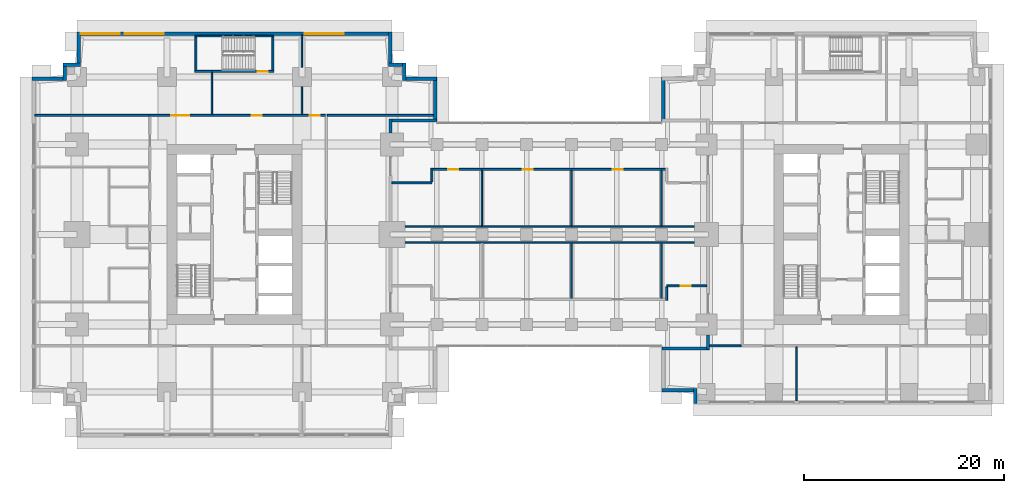
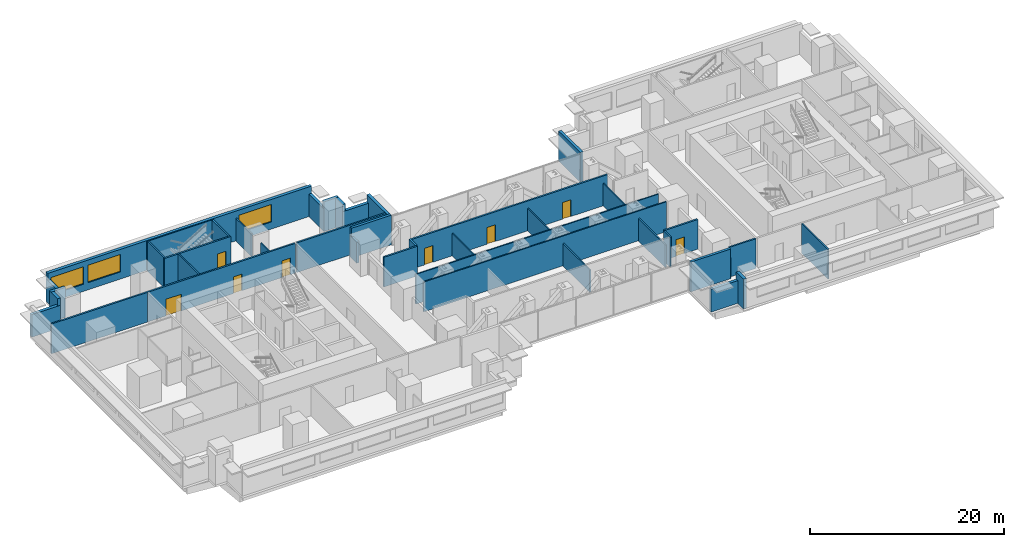
# One storey, part 9 of 16: 41 walls, 8 doors, 3 windows, 11 openings.
"""IFC4 building model written with IfcOpenShell, lengths in metres."""

from ifc_helpers import new_model, si_unit, direction, frame, frame_2d, origin, place, context, subcontext, project, spatial, rectangle, extrude, material, layer, layer_set, type_object, element, fill, save


model = new_model("IFC4")

# Units and contexts
model_context = context("Model", 3, precision=1e-05, world=origin(), true_north=direction((0.0, 1.0)))
body_context = subcontext(model_context, "Body", "Model", "MODEL_VIEW")
ifc_project = project(units=[si_unit("LENGTHUNIT", "METRE"), si_unit("AREAUNIT", "SQUARE_METRE"), si_unit("VOLUMEUNIT", "CUBIC_METRE"), si_unit("PLANEANGLEUNIT", "RADIAN"), si_unit("MASSUNIT", "GRAM", prefix="KILO")], contexts=[model_context])

# Site, building, storey
site_placement = place(None, origin())
site = spatial("IfcSite", under=ifc_project, at=site_placement, CompositionType="ELEMENT")
building_placement = place(site_placement, origin())
building = spatial("IfcBuilding", under=site, at=building_placement, Name="Namib Vertical Campus", CompositionType="ELEMENT")
storey_placement = place(building_placement, frame((0.0, 0.0, 121.0)))
storey = spatial("IfcBuildingStorey", under=building, at=storey_placement, Name="L28", CompositionType="ELEMENT", Elevation=121.0)

# Wall, openings, doors
ifc_material_1 = material(Name="Concrete masonry", Category="masonry")
ifc_layer_1 = layer(ifc_material_1, 0.199951171875)
ifc_layer_set_1 = layer_set([ifc_layer_1], Name="Corridor wall 200")
wall_type_1 = type_object("IfcWallType", Name="Corridor wall 200", PredefinedType="SOLIDWALL", material=ifc_layer_set_1)
wall_1_placement = place(storey_placement, frame((29.35009765625, 32.14990234375, 0.0), z_axis=(0.0, 0.0, 1.0), x_axis=(-1.0, 0.0, 0.0)))
wall_1 = element("IfcWall", 1, at=wall_1_placement, inside=storey, type_object=wall_type_1, Name="Corridor wall A L28 CN", PredefinedType="SOLIDWALL", context=body_context, shape_type="SweptSolid", body=[
    extrude(rectangle(XDim=17.650146484375, YDim=0.199951171875, at=frame_2d((8.8251953125, 0.0))), origin(), (0.0, 0.0, 1.0), 3.75),
])
opening_1_placement = place(wall_1_placement, frame((13.60009765625, 0.0, 0.0)))
opening_1 = element("IfcOpeningElement", 2, at=opening_1_placement, cuts=wall_1, Name="Opening CD2", PredefinedType="OPENING", context=body_context, shape_type="SweptSolid", body=[
    extrude(rectangle(XDim=1.800048828125, YDim=2.10009765625, at=frame_2d((0.89990234375, 1.050048828125))), frame((0.0, 0.10986328125, 0.0), z_axis=(0.0, -1.0, 0.0), x_axis=(1.0, 0.0, 0.0)), (0.0, 0.0, 1.0), 0.219970703125),
])
opening_2_placement = place(wall_1_placement, frame((6.35009765625, 0.0, 0.0)))
opening_2 = element("IfcOpeningElement", 3, at=opening_2_placement, cuts=wall_1, Name="Opening CD1", PredefinedType="OPENING", context=body_context, shape_type="SweptSolid", body=[
    extrude(rectangle(XDim=1.0, YDim=2.10009765625, at=frame_2d((0.5, 1.050048828125))), frame((0.0, 0.10986328125, 0.0), z_axis=(0.0, -1.0, 0.0), x_axis=(1.0, 0.0, 0.0)), (0.0, 0.0, 1.0), 0.219970703125),
])
opening_3_placement = place(wall_1_placement, frame((0.574951171875, 0.0, 0.0)))
opening_3 = element("IfcOpeningElement", 4, at=opening_3_placement, cuts=wall_1, Name="Opening CD1", PredefinedType="OPENING", context=body_context, shape_type="SweptSolid", body=[
    extrude(rectangle(XDim=1.0, YDim=2.10009765625, at=frame_2d((0.5, 1.050048828125))), frame((0.0, 0.10986328125, 0.0), z_axis=(0.0, -1.0, 0.0), x_axis=(1.0, 0.0, 0.0)), (0.0, 0.0, 1.0), 0.219970703125),
])
ifc_material_2 = material(Name="Timber fire door leaf", Category="wood")
door_type_1 = type_object("IfcDoorType", Name="Corridor door 1000x2100 20 min", OperationType="SINGLE_SWING_LEFT", PredefinedType="DOOR", material=ifc_material_2)
door_1_placement = place(opening_2_placement, frame((1.0, 0.0, 0.0), z_axis=(0.0, 0.0, 1.0), x_axis=(-1.0, 0.0, 0.0)))
door_1 = element("IfcDoor", 5, at=door_1_placement, inside=storey, type_object=door_type_1, Name="Door CD1 A28-06", OperationType="SINGLE_SWING_RIGHT", OverallHeight=2.10009765625, OverallWidth=1.0, PredefinedType="DOOR", context=body_context, shape_type="SweptSolid", body=[
    extrude(rectangle(XDim=1.0, YDim=2.10009765625, at=frame_2d((0.5, 1.050048828125))), frame((0.0, 0.02490234375, 0.0), z_axis=(0.0, -1.0, 0.0), x_axis=(1.0, 0.0, 0.0)), (0.0, 0.0, 1.0), 0.050048828125),
])
fill(opening_2, door_1)
door_2_placement = place(opening_3_placement, frame((1.0, 0.0, 0.0), z_axis=(0.0, 0.0, 1.0), x_axis=(-1.0, 0.0, 0.0)))
door_2 = element("IfcDoor", 6, at=door_2_placement, inside=storey, type_object=door_type_1, Name="Door CD1 A28-07", OperationType="SINGLE_SWING_LEFT", OverallHeight=2.10009765625, OverallWidth=1.0, PredefinedType="DOOR", context=body_context, shape_type="SweptSolid", body=[
    extrude(rectangle(XDim=1.0, YDim=2.10009765625, at=frame_2d((0.5, 1.050048828125))), frame((0.0, 0.02490234375, 0.0), z_axis=(0.0, -1.0, 0.0), x_axis=(1.0, 0.0, 0.0)), (0.0, 0.0, 1.0), 0.050048828125),
])
fill(opening_3, door_2)
ifc_material_3 = material(Name="Timber fire door leaf", Category="wood")
door_type_2 = type_object("IfcDoorType", Name="Corridor door double 1800x2100 20 min", OperationType="DOUBLE_DOOR_SINGLE_SWING", PredefinedType="DOOR", material=ifc_material_3)
door_3_placement = place(opening_1_placement, frame((1.800048828125, 0.0, 0.0), z_axis=(0.0, 0.0, 1.0), x_axis=(-1.0, 0.0, 0.0)))
door_3 = element("IfcDoor", 7, at=door_3_placement, inside=storey, type_object=door_type_2, Name="Door CD2 A28-05", OperationType="DOUBLE_DOOR_SINGLE_SWING", OverallHeight=2.10009765625, OverallWidth=1.800048828125, PredefinedType="DOOR", context=body_context, shape_type="SweptSolid", body=[
    extrude(rectangle(XDim=1.800048828125, YDim=2.10009765625, at=frame_2d((0.89990234375, 1.050048828125))), frame((0.0, 0.02490234375, 0.0), z_axis=(0.0, -1.0, 0.0), x_axis=(1.0, 0.0, 0.0)), (0.0, 0.0, 1.0), 0.050048828125),
])
fill(opening_1, door_3)

# Walls
wall_2_placement = place(storey_placement, frame((0.300048828125, 32.14990234375, 0.0), z_axis=(0.0, 0.0, 1.0), x_axis=(1.0, 0.0, 0.0)))
element("IfcWall", 8, at=wall_2_placement, inside=storey, type_object=wall_type_1, Name="Partition A L28 BNW", PredefinedType="SOLIDWALL", context=body_context, shape_type="SweptSolid", body=[
    extrude(rectangle(XDim=11.39990234375, YDim=0.199951171875, at=frame_2d((5.699951171875, 0.0))), origin(), (0.0, 0.0, 1.0), 3.75),
])
wall_3_placement = place(storey_placement, frame((29.550048828125, 32.14990234375, 0.0), z_axis=(0.0, 0.0, 1.0), x_axis=(1.0, 0.0, 0.0)))
element("IfcWall", 9, at=wall_3_placement, inside=storey, type_object=wall_type_1, Name="Partition A L28 BNE", PredefinedType="SOLIDWALL", context=body_context, shape_type="SweptSolid", body=[
    extrude(rectangle(XDim=10.64990234375, YDim=0.199951171875, at=frame_2d((5.324951171875, 0.0))), origin(), (0.0, 0.0, 1.0), 3.75),
])
wall_4_placement = place(storey_placement, frame((67.800048828125, 9.10009765625, 0.0), z_axis=(0.0, 0.0, 1.0), x_axis=(1.0, 0.0, 0.0)))
element("IfcWall", 10, at=wall_4_placement, inside=storey, type_object=wall_type_1, Name="Partition B L28 BSW", PredefinedType="SOLIDWALL", context=body_context, shape_type="SweptSolid", body=[
    extrude(rectangle(XDim=3.14990234375, YDim=0.199951171875, at=frame_2d((1.574951171875, 0.0))), origin(), (0.0, 0.0, 1.0), 3.75),
])

# Wall, opening, door
wall_5_placement = place(storey_placement, frame((63.5, 15.10009765625, 0.0), z_axis=(0.0, 0.0, 1.0), x_axis=(1.0, 0.0, 0.0)))
wall_5 = element("IfcWall", 11, at=wall_5_placement, inside=storey, type_object=wall_type_1, Name="Lobby wall L28 E", PredefinedType="SOLIDWALL", context=body_context, shape_type="SweptSolid", body=[
    extrude(rectangle(XDim=4.0, YDim=0.199951171875, at=frame_2d((2.0, 0.0))), origin(), (0.0, 0.0, 1.0), 3.75),
])
opening_4_placement = place(wall_5_placement, frame((1.39990234375, 0.0, 0.0)))
opening_4 = element("IfcOpeningElement", 12, at=opening_4_placement, cuts=wall_5, Name="Opening CD1", PredefinedType="OPENING", context=body_context, shape_type="SweptSolid", body=[
    extrude(rectangle(XDim=1.0, YDim=2.10009765625, at=frame_2d((0.5, 1.050048828125))), frame((0.0, 0.10986328125, 0.0), z_axis=(0.0, -1.0, 0.0), x_axis=(1.0, 0.0, 0.0)), (0.0, 0.0, 1.0), 0.219970703125),
])
door_4_placement = place(opening_4_placement, origin())
door_4 = element("IfcDoor", 13, at=door_4_placement, inside=storey, type_object=door_type_1, Name="Door CD1 BR28-06", OperationType="SINGLE_SWING_RIGHT", OverallHeight=2.10009765625, OverallWidth=1.0, PredefinedType="DOOR", context=body_context, shape_type="SweptSolid", body=[
    extrude(rectangle(XDim=1.0, YDim=2.10009765625, at=frame_2d((0.5, 1.050048828125))), frame((0.0, 0.02490234375, 0.0), z_axis=(0.0, -1.0, 0.0), x_axis=(1.0, 0.0, 0.0)), (0.0, 0.0, 1.0), 0.050048828125),
])
fill(opening_4, door_4)

# Wall
wall_6_placement = place(storey_placement, frame((63.5, 13.64990234375, 0.0), z_axis=(0.0, 0.0, 1.0), x_axis=(0.0, 1.0, 0.0)))
element("IfcWall", 14, at=wall_6_placement, inside=storey, type_object=wall_type_1, Name="Lobby side wall L28 E", PredefinedType="SOLIDWALL", context=body_context, shape_type="SweptSolid", body=[
    extrude(rectangle(XDim=1.35009765625, YDim=0.199951171875, at=frame_2d((0.675048828125, 0.0))), origin(), (0.0, 0.0, 1.0), 3.75),
])

# Wall, openings, doors
wall_7_placement = place(storey_placement, frame((40.0, 26.75, 0.0), z_axis=(0.0, 0.0, 1.0), x_axis=(1.0, 0.0, 0.0)))
wall_7 = element("IfcWall", 15, at=wall_7_placement, inside=storey, type_object=wall_type_1, Name="North corridor wall L28", PredefinedType="SOLIDWALL", context=body_context, shape_type="SweptSolid", body=[
    extrude(rectangle(XDim=23.5, YDim=0.199951171875, at=frame_2d((11.75, 0.0))), origin(), (0.0, 0.0, 1.0), 3.75),
])
opening_5_placement = place(wall_7_placement, frame((1.64990234375, 0.0, 0.0)))
opening_5 = element("IfcOpeningElement", 16, at=opening_5_placement, cuts=wall_7, Name="Opening CD1", PredefinedType="OPENING", context=body_context, shape_type="SweptSolid", body=[
    extrude(rectangle(XDim=1.0, YDim=2.10009765625, at=frame_2d((0.5, 1.050048828125))), frame((0.0, 0.10986328125, 0.0), z_axis=(0.0, -1.0, 0.0), x_axis=(1.0, 0.0, 0.0)), (0.0, 0.0, 1.0), 0.219970703125),
])
opening_6_placement = place(wall_7_placement, frame((9.10009765625, 0.0, 0.0)))
opening_6 = element("IfcOpeningElement", 17, at=opening_6_placement, cuts=wall_7, Name="Opening CD1", PredefinedType="OPENING", context=body_context, shape_type="SweptSolid", body=[
    extrude(rectangle(XDim=1.0, YDim=2.10009765625, at=frame_2d((0.5, 1.050048828125))), frame((0.0, 0.10986328125, 0.0), z_axis=(0.0, -1.0, 0.0), x_axis=(1.0, 0.0, 0.0)), (0.0, 0.0, 1.0), 0.219970703125),
])
opening_7_placement = place(wall_7_placement, frame((18.10009765625, 0.0, 0.0)))
opening_7 = element("IfcOpeningElement", 18, at=opening_7_placement, cuts=wall_7, Name="Opening CD1", PredefinedType="OPENING", context=body_context, shape_type="SweptSolid", body=[
    extrude(rectangle(XDim=1.0, YDim=2.10009765625, at=frame_2d((0.5, 1.050048828125))), frame((0.0, 0.10986328125, 0.0), z_axis=(0.0, -1.0, 0.0), x_axis=(1.0, 0.0, 0.0)), (0.0, 0.0, 1.0), 0.219970703125),
])
door_5_placement = place(opening_5_placement, frame((1.0, 0.0, 0.0), z_axis=(0.0, 0.0, 1.0), x_axis=(-1.0, 0.0, 0.0)))
door_5 = element("IfcDoor", 19, at=door_5_placement, inside=storey, type_object=door_type_1, Name="Door CD1 BR28-07", OperationType="SINGLE_SWING_RIGHT", OverallHeight=2.10009765625, OverallWidth=1.0, PredefinedType="DOOR", context=body_context, shape_type="SweptSolid", body=[
    extrude(rectangle(XDim=1.0, YDim=2.10009765625, at=frame_2d((0.5, 1.050048828125))), frame((0.0, 0.02490234375, 0.0), z_axis=(0.0, -1.0, 0.0), x_axis=(1.0, 0.0, 0.0)), (0.0, 0.0, 1.0), 0.050048828125),
])
fill(opening_5, door_5)
door_6_placement = place(opening_6_placement, frame((1.0, 0.0, 0.0), z_axis=(0.0, 0.0, 1.0), x_axis=(-1.0, 0.0, 0.0)))
door_6 = element("IfcDoor", 20, at=door_6_placement, inside=storey, type_object=door_type_1, Name="Door CD1 BR28-08", OperationType="SINGLE_SWING_LEFT", OverallHeight=2.10009765625, OverallWidth=1.0, PredefinedType="DOOR", context=body_context, shape_type="SweptSolid", body=[
    extrude(rectangle(XDim=1.0, YDim=2.10009765625, at=frame_2d((0.5, 1.050048828125))), frame((0.0, 0.02490234375, 0.0), z_axis=(0.0, -1.0, 0.0), x_axis=(1.0, 0.0, 0.0)), (0.0, 0.0, 1.0), 0.050048828125),
])
fill(opening_6, door_6)
door_7_placement = place(opening_7_placement, frame((1.0, 0.0, 0.0), z_axis=(0.0, 0.0, 1.0), x_axis=(-1.0, 0.0, 0.0)))
door_7 = element("IfcDoor", 21, at=door_7_placement, inside=storey, type_object=door_type_1, Name="Door CD1 BR28-09", OperationType="SINGLE_SWING_LEFT", OverallHeight=2.10009765625, OverallWidth=1.0, PredefinedType="DOOR", context=body_context, shape_type="SweptSolid", body=[
    extrude(rectangle(XDim=1.0, YDim=2.10009765625, at=frame_2d((0.5, 1.050048828125))), frame((0.0, 0.02490234375, 0.0), z_axis=(0.0, -1.0, 0.0), x_axis=(1.0, 0.0, 0.0)), (0.0, 0.0, 1.0), 0.050048828125),
])
fill(opening_7, door_7)

# Walls
wall_8_placement = place(storey_placement, frame((36.0, 25.39990234375, 0.0), z_axis=(0.0, 0.0, 1.0), x_axis=(1.0, 0.0, 0.0)))
element("IfcWall", 22, at=wall_8_placement, inside=storey, type_object=wall_type_1, Name="Lobby wall L28 NW", PredefinedType="SOLIDWALL", context=body_context, shape_type="SweptSolid", body=[
    extrude(rectangle(XDim=4.0, YDim=0.199951171875, at=frame_2d((2.0, 0.0))), origin(), (0.0, 0.0, 1.0), 3.75),
])
wall_9_placement = place(storey_placement, frame((40.0, 26.85009765625, 0.0), z_axis=(0.0, 0.0, 1.0), x_axis=(0.0, -1.0, 0.0)))
element("IfcWall", 23, at=wall_9_placement, inside=storey, type_object=wall_type_1, Name="Lobby side wall L28 NW", PredefinedType="SOLIDWALL", context=body_context, shape_type="SweptSolid", body=[
    extrude(rectangle(XDim=1.35009765625, YDim=0.199951171875, at=frame_2d((0.675048828125, 0.0))), origin(), (0.0, 0.0, 1.0), 3.75),
])
ifc_material_4 = material(Name="Concrete C40/50", Category="concrete")
ifc_layer_2 = layer(ifc_material_4, 0.35009765625)
ifc_layer_set_2 = layer_set([ifc_layer_2], Name="Concrete C40/50")
wall_type_2 = type_object("IfcWallType", Name="External wall 350 bush-hammered concrete", PredefinedType="STANDARD", material=ifc_layer_set_2)
wall_10_placement = place(storey_placement, frame((40.324951171875, 31.52001953125, 0.0), z_axis=(0.0, 0.0, 1.0), x_axis=(0.0, 1.0, 0.0)))
element("IfcWall", 24, at=wall_10_placement, inside=storey, type_object=wall_type_2, Name="External wall L28 F11", PredefinedType="STANDARD", context=body_context, shape_type="SweptSolid", body=[
    extrude(rectangle(XDim=4.4599609375, YDim=0.35009765625, at=frame_2d((2.22998046875, 0.0))), origin(), (0.0, 0.0, 1.0), 3.75),
])
wall_11_placement = place(storey_placement, frame((40.47998046875, 35.824951171875, 0.0), z_axis=(0.0, 0.0, 1.0), x_axis=(-1.0, 0.0, 0.0)))
element("IfcWall", 25, at=wall_11_placement, inside=storey, type_object=wall_type_2, Name="External wall L28 F12", PredefinedType="STANDARD", context=body_context, shape_type="SweptSolid", body=[
    extrude(rectangle(XDim=3.409912109375, YDim=0.35009765625, at=frame_2d((1.705078125, 0.0))), origin(), (0.0, 0.0, 1.0), 2.85009765625),
])
for number, where, z_axis, x_axis, name in (
    (26, (37.22509765625, 35.669921875, 0.0), (0.0, 0.0, 1.0), (0.0, 1.0, 0.0), "External wall L28 F13"),
    (27, (37.3798828125, 37.22509765625, 0.0), (0.0, 0.0, 1.0), (-1.0, 0.0, 0.0), "External wall L28 F14"),
):
    element("IfcWall", number, at=place(storey_placement, frame(where, z_axis=z_axis, x_axis=x_axis)), inside=storey, type_object=wall_type_2, Name=name, PredefinedType="STANDARD", context=body_context, shape_type="SweptSolid", body=[
        extrude(rectangle(XDim=1.7099609375, YDim=0.35009765625, at=frame_2d((0.85498046875, 0.0))), origin(), (0.0, 0.0, 1.0), 3.75),
    ])
wall_12_placement = place(storey_placement, frame((35.824951171875, 37.070068359375, 0.0), z_axis=(0.0, 0.0, 1.0), x_axis=(0.0, 1.0, 0.0)))
element("IfcWall", 28, at=wall_12_placement, inside=storey, type_object=wall_type_2, Name="External wall L28 F15", PredefinedType="STANDARD", context=body_context, shape_type="SweptSolid", body=[
    extrude(rectangle(XDim=3.409912109375, YDim=0.35009765625, at=frame_2d((1.705078125, 0.0))), origin(), (0.0, 0.0, 1.0), 2.85009765625),
])

# Wall, openings, windows
wall_13_placement = place(storey_placement, frame((35.97998046875, 40.324951171875, 0.0), z_axis=(0.0, 0.0, 1.0), x_axis=(-1.0, 0.0, 0.0)))
wall_13 = element("IfcWall", 29, at=wall_13_placement, inside=storey, type_object=wall_type_2, Name="External wall L28 F16", PredefinedType="STANDARD", context=body_context, shape_type="SweptSolid", body=[
    extrude(rectangle(XDim=31.4599609375, YDim=0.35009765625, at=frame_2d((15.72998046875, 0.0))), origin(), (0.0, 0.0, 1.0), 3.75),
])
opening_8_placement = place(wall_13_placement, frame((27.2099609375, 0.0, 0.89990234375)))
opening_8 = element("IfcOpeningElement", 30, at=opening_8_placement, cuts=wall_13, Name="Opening W1", PredefinedType="OPENING", context=body_context, shape_type="SweptSolid", body=[
    extrude(rectangle(XDim=3.89990234375, YDim=2.199951171875, at=frame_2d((1.949951171875, 1.10009765625))), frame((0.0, 0.18505859375, 0.0), z_axis=(0.0, -1.0, 0.0), x_axis=(1.0, 0.0, 0.0)), (0.0, 0.0, 1.0), 0.3701171875),
])
opening_9_placement = place(wall_13_placement, frame((22.780029296875, 0.0, 0.89990234375)))
opening_9 = element("IfcOpeningElement", 31, at=opening_9_placement, cuts=wall_13, Name="Opening W1", PredefinedType="OPENING", context=body_context, shape_type="SweptSolid", body=[
    extrude(rectangle(XDim=3.89990234375, YDim=2.199951171875, at=frame_2d((1.949951171875, 1.10009765625))), frame((0.0, 0.18505859375, 0.0), z_axis=(0.0, -1.0, 0.0), x_axis=(1.0, 0.0, 0.0)), (0.0, 0.0, 1.0), 0.3701171875),
])
opening_10_placement = place(wall_13_placement, frame((4.780029296875, 0.0, 0.89990234375)))
opening_10 = element("IfcOpeningElement", 32, at=opening_10_placement, cuts=wall_13, Name="Opening W1", PredefinedType="OPENING", context=body_context, shape_type="SweptSolid", body=[
    extrude(rectangle(XDim=3.89990234375, YDim=2.199951171875, at=frame_2d((1.949951171875, 1.10009765625))), frame((0.0, 0.18505859375, 0.0), z_axis=(0.0, -1.0, 0.0), x_axis=(1.0, 0.0, 0.0)), (0.0, 0.0, 1.0), 0.3701171875),
])
ifc_material_5 = material(Name="Dark tinted glass in black aluminium frame", Category="aluminium")
window_type = type_object("IfcWindowType", Name="Ribbon window 3900x2200", PartitioningType="SINGLE_PANEL", PredefinedType="WINDOW", material=ifc_material_5)
window_1_placement = place(opening_8_placement, origin())
window_1 = element("IfcWindow", 33, at=window_1_placement, inside=storey, type_object=window_type, Name="Window W1 L28 F16-1", OverallHeight=2.199951171875, OverallWidth=3.89990234375, PartitioningType="SINGLE_PANEL", PredefinedType="WINDOW", context=body_context, shape_type="SweptSolid", body=[
    extrude(rectangle(XDim=3.89990234375, YDim=2.199951171875, at=frame_2d((1.949951171875, 1.10009765625))), frame((0.0, 0.030029296875, 0.0), z_axis=(0.0, -1.0, 0.0), x_axis=(1.0, 0.0, 0.0)), (0.0, 0.0, 1.0), 0.06005859375),
])
fill(opening_8, window_1)
window_2_placement = place(opening_9_placement, origin())
window_2 = element("IfcWindow", 34, at=window_2_placement, inside=storey, type_object=window_type, Name="Window W1 L28 F16-2", OverallHeight=2.199951171875, OverallWidth=3.89990234375, PartitioningType="SINGLE_PANEL", PredefinedType="WINDOW", context=body_context, shape_type="SweptSolid", body=[
    extrude(rectangle(XDim=3.89990234375, YDim=2.199951171875, at=frame_2d((1.949951171875, 1.10009765625))), frame((0.0, 0.030029296875, 0.0), z_axis=(0.0, -1.0, 0.0), x_axis=(1.0, 0.0, 0.0)), (0.0, 0.0, 1.0), 0.06005859375),
])
fill(opening_9, window_2)
window_3_placement = place(opening_10_placement, origin())
window_3 = element("IfcWindow", 35, at=window_3_placement, inside=storey, type_object=window_type, Name="Window W1 L28 F16-6", OverallHeight=2.199951171875, OverallWidth=3.89990234375, PartitioningType="SINGLE_PANEL", PredefinedType="WINDOW", context=body_context, shape_type="SweptSolid", body=[
    extrude(rectangle(XDim=3.89990234375, YDim=2.199951171875, at=frame_2d((1.949951171875, 1.10009765625))), frame((0.0, 0.030029296875, 0.0), z_axis=(0.0, -1.0, 0.0), x_axis=(1.0, 0.0, 0.0)), (0.0, 0.0, 1.0), 0.06005859375),
])
fill(opening_10, window_3)

# Walls
wall_14_placement = place(storey_placement, frame((4.675048828125, 40.47998046875, 0.0), z_axis=(0.0, 0.0, 1.0), x_axis=(0.0, -1.0, 0.0)))
element("IfcWall", 36, at=wall_14_placement, inside=storey, type_object=wall_type_2, Name="External wall L28 F17", PredefinedType="STANDARD", context=body_context, shape_type="SweptSolid", body=[
    extrude(rectangle(XDim=3.409912109375, YDim=0.35009765625, at=frame_2d((1.705078125, 0.0))), origin(), (0.0, 0.0, 1.0), 2.85009765625),
])
for number, where, z_axis, x_axis, name in (
    (37, (4.830078125, 37.22509765625, 0.0), (0.0, 0.0, 1.0), (-1.0, 0.0, 0.0), "External wall L28 F18"),
    (38, (3.27490234375, 37.3798828125, 0.0), (0.0, 0.0, 1.0), (0.0, -1.0, 0.0), "External wall L28 F19"),
):
    element("IfcWall", number, at=place(storey_placement, frame(where, z_axis=z_axis, x_axis=x_axis)), inside=storey, type_object=wall_type_2, Name=name, PredefinedType="STANDARD", context=body_context, shape_type="SweptSolid", body=[
        extrude(rectangle(XDim=1.7099609375, YDim=0.35009765625, at=frame_2d((0.85498046875, 0.0))), origin(), (0.0, 0.0, 1.0), 3.75),
    ])
wall_15_placement = place(storey_placement, frame((3.429931640625, 35.824951171875, 0.0), z_axis=(0.0, 0.0, 1.0), x_axis=(-1.0, 0.0, 0.0)))
element("IfcWall", 39, at=wall_15_placement, inside=storey, type_object=wall_type_2, Name="External wall L28 F20", PredefinedType="STANDARD", context=body_context, shape_type="SweptSolid", body=[
    extrude(rectangle(XDim=3.409912109375, YDim=0.35009765625, at=frame_2d((1.705078125, 0.0))), origin(), (0.0, 0.0, 1.0), 2.85009765625),
])
wall_16_placement = place(storey_placement, frame((63.02001953125, 4.675048828125, 0.0), z_axis=(0.0, 0.0, 1.0), x_axis=(1.0, 0.0, 0.0)))
element("IfcWall", 40, at=wall_16_placement, inside=storey, type_object=wall_type_2, Name="External wall L28 F02", PredefinedType="STANDARD", context=body_context, shape_type="SweptSolid", body=[
    extrude(rectangle(XDim=3.510009765625, YDim=0.35009765625, at=frame_2d((1.7548828125, 0.0))), origin(), (0.0, 0.0, 1.0), 2.85009765625),
])
wall_17_placement = place(storey_placement, frame((66.375, 4.830078125, 0.0), z_axis=(0.0, 0.0, 1.0), x_axis=(0.0, -1.0, 0.0)))
element("IfcWall", 41, at=wall_17_placement, inside=storey, type_object=wall_type_2, Name="External wall L28 F03", PredefinedType="STANDARD", context=body_context, shape_type="SweptSolid", body=[
    extrude(rectangle(XDim=1.510009765625, YDim=0.35009765625, at=frame_2d((0.7548828125, 0.0))), origin(), (0.0, 0.0, 1.0), 3.75),
])
wall_18_placement = place(storey_placement, frame((63.175048828125, 35.97998046875, 0.0), z_axis=(0.0, 0.0, 1.0), x_axis=(0.0, -1.0, 0.0)))
element("IfcWall", 42, at=wall_18_placement, inside=storey, type_object=wall_type_2, Name="External wall L28 F13", PredefinedType="STANDARD", context=body_context, shape_type="SweptSolid", body=[
    extrude(rectangle(XDim=4.4599609375, YDim=0.35009765625, at=frame_2d((2.22998046875, 0.0))), origin(), (0.0, 0.0, 1.0), 3.75),
])
ifc_material_6 = material(Name="Concrete masonry", Category="masonry")
ifc_layer_3 = layer(ifc_material_6, 0.300048828125)
ifc_layer_set_3 = layer_set([ifc_layer_3], Name="Fire wall 300")
wall_type_3 = type_object("IfcWallType", Name="Fire wall 300", PredefinedType="SOLIDWALL", material=ifc_layer_set_3)
wall_19_placement = place(storey_placement, frame((35.85009765625, 30.39990234375, 0.0), z_axis=(0.0, 0.0, 1.0), x_axis=(0.0, 1.0, 0.0)))
element("IfcWall", 43, at=wall_19_placement, inside=storey, type_object=wall_type_3, Name="External wall L28 F09", PredefinedType="SOLIDWALL", context=body_context, shape_type="SweptSolid", body=[
    extrude(rectangle(XDim=1.380126953125, YDim=0.300048828125, at=frame_2d((0.68994140625, 0.0))), origin(), (0.0, 0.0, 1.0), 2.64990234375),
])
wall_20_placement = place(storey_placement, frame((35.719970703125, 31.64990234375, 0.0), z_axis=(0.0, 0.0, 1.0), x_axis=(1.0, 0.0, 0.0)))
element("IfcWall", 44, at=wall_20_placement, inside=storey, type_object=wall_type_3, Name="External wall L28 F10", PredefinedType="SOLIDWALL", context=body_context, shape_type="SweptSolid", body=[
    extrude(rectangle(XDim=4.760009765625, YDim=0.300048828125, at=frame_2d((2.3798828125, 0.0))), origin(), (0.0, 0.0, 1.0), 3.75),
])
wall_21_placement = place(storey_placement, frame((67.64990234375, 10.199951171875, 0.0), z_axis=(0.0, 0.0, 1.0), x_axis=(0.0, -1.0, 0.0)))
element("IfcWall", 45, at=wall_21_placement, inside=storey, type_object=wall_type_3, Name="External wall L28 F15", PredefinedType="SOLIDWALL", context=body_context, shape_type="SweptSolid", body=[
    extrude(rectangle(XDim=1.47998046875, YDim=0.300048828125, at=frame_2d((0.739990234375, 0.0))), origin(), (0.0, 0.0, 1.0), 2.64990234375),
])
wall_22_placement = place(storey_placement, frame((67.780029296875, 8.85009765625, 0.0), z_axis=(0.0, 0.0, 1.0), x_axis=(-1.0, 0.0, 0.0)))
element("IfcWall", 46, at=wall_22_placement, inside=storey, type_object=wall_type_3, Name="External wall L28 F16", PredefinedType="SOLIDWALL", context=body_context, shape_type="SweptSolid", body=[
    extrude(rectangle(XDim=4.760009765625, YDim=0.300048828125, at=frame_2d((2.3798828125, 0.0))), origin(), (0.0, 0.0, 1.0), 3.75),
])
ifc_material_7 = material(Name="Gypsum board on steel studs", Category="steel")
ifc_layer_4 = layer(ifc_material_7, 0.14990234375)
ifc_layer_set_4 = layer_set([ifc_layer_4], Name="Gypsum board on steel studs")
wall_type_4 = type_object("IfcWallType", Name="Partition 150", PredefinedType="PARTITIONING", material=ifc_layer_set_4)
wall_23_placement = place(storey_placement, frame((18.0, 32.25, 0.0), z_axis=(0.0, 0.0, 1.0), x_axis=(0.0, 1.0, 0.0)))
element("IfcWall", 47, at=wall_23_placement, inside=storey, type_object=wall_type_4, Name="Partition A L28 PN1", PredefinedType="PARTITIONING", context=body_context, shape_type="SweptSolid", body=[
    extrude(rectangle(XDim=4.199951171875, YDim=0.14990234375, at=frame_2d((2.10009765625, 0.0))), origin(), (0.0, 0.0, 1.0), 3.75),
])
wall_24_placement = place(storey_placement, frame((27.0, 32.25, 0.0), z_axis=(0.0, 0.0, 1.0), x_axis=(0.0, 1.0, 0.0)))
element("IfcWall", 48, at=wall_24_placement, inside=storey, type_object=wall_type_4, Name="Partition A L28 PN2", PredefinedType="PARTITIONING", context=body_context, shape_type="SweptSolid", body=[
    extrude(rectangle(XDim=2.780029296875, YDim=0.14990234375, at=frame_2d((1.39013671875, 0.0))), origin(), (0.0, 0.0, 1.0), 2.85009765625),
])
wall_25_placement = place(storey_placement, frame((27.0, 36.969970703125, 0.0), z_axis=(0.0, 0.0, 1.0), x_axis=(0.0, 1.0, 0.0)))
element("IfcWall", 49, at=wall_25_placement, inside=storey, type_object=wall_type_4, Name="Partition A L28 PN2", PredefinedType="PARTITIONING", context=body_context, shape_type="SweptSolid", body=[
    extrude(rectangle(XDim=3.22998046875, YDim=0.14990234375, at=frame_2d((1.614990234375, 0.0))), origin(), (0.0, 0.0, 1.0), 2.85009765625),
])
wall_26_placement = place(storey_placement, frame((76.5, 3.60009765625, 0.0), z_axis=(0.0, 0.0, 1.0), x_axis=(0.0, 1.0, 0.0)))
element("IfcWall", 50, at=wall_26_placement, inside=storey, type_object=wall_type_4, Name="Partition B L28 PS1", PredefinedType="PARTITIONING", context=body_context, shape_type="SweptSolid", body=[
    extrude(rectangle(XDim=5.39990234375, YDim=0.14990234375, at=frame_2d((2.699951171875, 0.0))), origin(), (0.0, 0.0, 1.0), 3.75),
])
for number, where, z_axis, x_axis, name in (
    (51, (37.320068359375, 19.449951171875, 0.0), (0.0, 0.0, 1.0), (1.0, 0.0, 0.0), "Spine wall L28 S"),
    (52, (37.320068359375, 21.050048828125, 0.0), (0.0, 0.0, 1.0), (1.0, 0.0, 0.0), "Spine wall L28 N"),
):
    element("IfcWall", number, at=place(storey_placement, frame(where, z_axis=z_axis, x_axis=x_axis)), inside=storey, type_object=wall_type_4, Name=name, PredefinedType="PARTITIONING", context=body_context, shape_type="SweptSolid", body=[
        extrude(rectangle(XDim=28.9599609375, YDim=0.14990234375, at=frame_2d((14.47998046875, 0.0))), origin(), (0.0, 0.0, 1.0), 3.75),
    ])
for number, where, z_axis, x_axis, name in (
    (53, (54.0, 13.85009765625, 0.0), (0.0, 0.0, 1.0), (0.0, 1.0, 0.0), "Partition bridge L28 S2"),
    (54, (63.0, 13.85009765625, 0.0), (0.0, 0.0, 1.0), (0.0, 1.0, 0.0), "Partition bridge L28 S3"),
    (55, (45.0, 26.64990234375, 0.0), (0.0, 0.0, 1.0), (0.0, -1.0, 0.0), "Partition bridge L28 N1"),
    (56, (54.0, 26.64990234375, 0.0), (0.0, 0.0, 1.0), (0.0, -1.0, 0.0), "Partition bridge L28 N2"),
    (57, (63.0, 26.64990234375, 0.0), (0.0, 0.0, 1.0), (0.0, -1.0, 0.0), "Partition bridge L28 N3"),
):
    element("IfcWall", number, at=place(storey_placement, frame(where, z_axis=z_axis, x_axis=x_axis)), inside=storey, type_object=wall_type_4, Name=name, PredefinedType="PARTITIONING", context=body_context, shape_type="SweptSolid", body=[
        extrude(rectangle(XDim=5.52490234375, YDim=0.14990234375, at=frame_2d((2.762451171875, 0.0))), origin(), (0.0, 0.0, 1.0), 2.82958984375),
    ])
ifc_material_8 = material(Name="Concrete C40/50", Category="concrete")
ifc_layer_5 = layer(ifc_material_8, 0.14990234375)
ifc_layer_set_5 = layer_set([ifc_layer_5], Name="Concrete C40/50")
wall_type_5 = type_object("IfcWallType", Name="Stair enclosure wall RC 150", PredefinedType="SOLIDWALL", material=ifc_layer_set_5)
wall_27_placement = place(storey_placement, frame((16.300048828125, 40.074951171875, 0.0), z_axis=(0.0, 0.0, 1.0), x_axis=(1.0, 0.0, 0.0)))
element("IfcWall", 58, at=wall_27_placement, inside=storey, type_object=wall_type_5, Name="Stair enclosure wall A-S3 L28 N", PredefinedType="SOLIDWALL", context=body_context, shape_type="SweptSolid", body=[
    extrude(rectangle(XDim=7.89990234375, YDim=0.14990234375, at=frame_2d((3.949951171875, 0.0))), origin(), (0.0, 0.0, 1.0), 3.75),
])

# Wall, opening, door
ifc_material_9 = material(Name="Concrete C40/50", Category="concrete")
ifc_layer_6 = layer(ifc_material_9, 0.199951171875)
ifc_layer_set_6 = layer_set([ifc_layer_6], Name="Concrete C40/50")
wall_type_6 = type_object("IfcWallType", Name="Stair enclosure wall RC 200", PredefinedType="SOLIDWALL", material=ifc_layer_set_6)
wall_28_placement = place(storey_placement, frame((16.300048828125, 36.550048828125, 0.0), z_axis=(0.0, 0.0, 1.0), x_axis=(1.0, 0.0, 0.0)))
wall_28 = element("IfcWall", 59, at=wall_28_placement, inside=storey, type_object=wall_type_6, Name="Stair enclosure wall A-S3 L28 S", PredefinedType="SOLIDWALL", context=body_context, shape_type="SweptSolid", body=[
    extrude(rectangle(XDim=7.89990234375, YDim=0.199951171875, at=frame_2d((3.949951171875, 0.0))), origin(), (0.0, 0.0, 1.0), 3.75),
])
opening_11_placement = place(wall_28_placement, frame((6.300048828125, 0.0, 0.0)))
opening_11 = element("IfcOpeningElement", 60, at=opening_11_placement, cuts=wall_28, Name="Opening FD1", PredefinedType="OPENING", context=body_context, shape_type="SweptSolid", body=[
    extrude(rectangle(XDim=1.0, YDim=2.10009765625, at=frame_2d((0.5, 1.050048828125))), frame((0.0, 0.10986328125, 0.0), z_axis=(0.0, -1.0, 0.0), x_axis=(1.0, 0.0, 0.0)), (0.0, 0.0, 1.0), 0.219970703125),
])
ifc_material_10 = material(Name="Steel fire door", Category="steel")
door_type_3 = type_object("IfcDoorType", Name="Fire door 1000x2100", OperationType="SINGLE_SWING_RIGHT", PredefinedType="DOOR", material=ifc_material_10)
door_8_placement = place(opening_11_placement, origin())
door_8 = element("IfcDoor", 61, at=door_8_placement, inside=storey, type_object=door_type_3, Name="Stair door FD1 A L28 S3", OperationType="SINGLE_SWING_RIGHT", OverallHeight=2.10009765625, OverallWidth=1.0, PredefinedType="DOOR", context=body_context, shape_type="SweptSolid", body=[
    extrude(rectangle(XDim=1.0, YDim=2.10009765625, at=frame_2d((0.5, 1.050048828125))), frame((0.0, 0.02490234375, 0.0), z_axis=(0.0, -1.0, 0.0), x_axis=(1.0, 0.0, 0.0)), (0.0, 0.0, 1.0), 0.050048828125),
])
fill(opening_11, door_8)

# Walls
for number, where, z_axis, x_axis, name in (
    (62, (16.39990234375, 36.64990234375, 0.0), (0.0, 0.0, 1.0), (0.0, 1.0, 0.0), "Stair enclosure wall A-S3 L28 W"),
    (63, (24.10009765625, 36.64990234375, 0.0), (0.0, 0.0, 1.0), (0.0, 1.0, 0.0), "Stair enclosure wall A-S3 L28 E"),
):
    element("IfcWall", number, at=place(storey_placement, frame(where, z_axis=z_axis, x_axis=x_axis)), inside=storey, type_object=wall_type_6, Name=name, PredefinedType="SOLIDWALL", context=body_context, shape_type="SweptSolid", body=[
        extrude(rectangle(XDim=3.35009765625, YDim=0.199951171875, at=frame_2d((1.675048828125, 0.0))), origin(), (0.0, 0.0, 1.0), 3.75),
    ])

save(model, "model.ifc")
